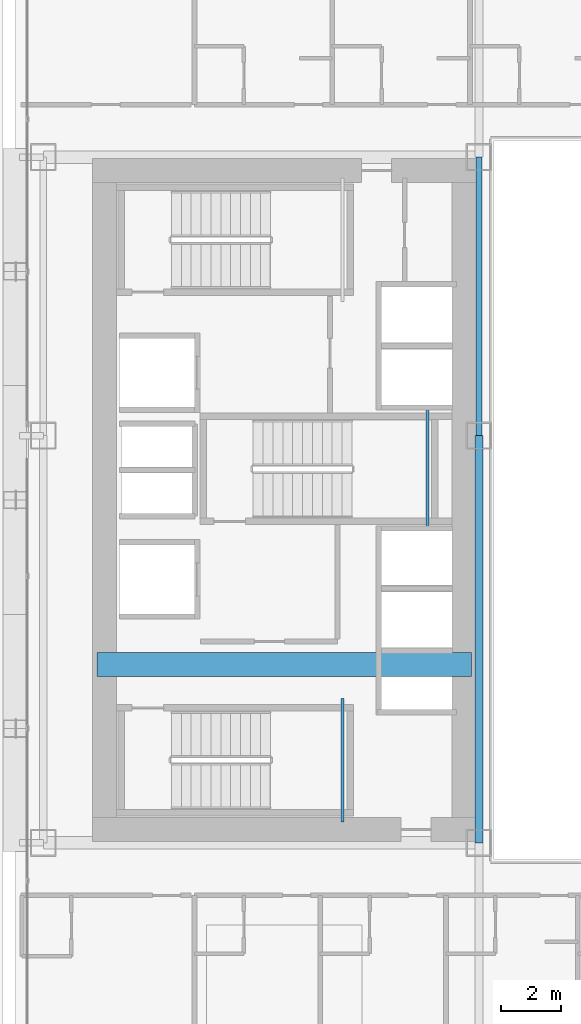
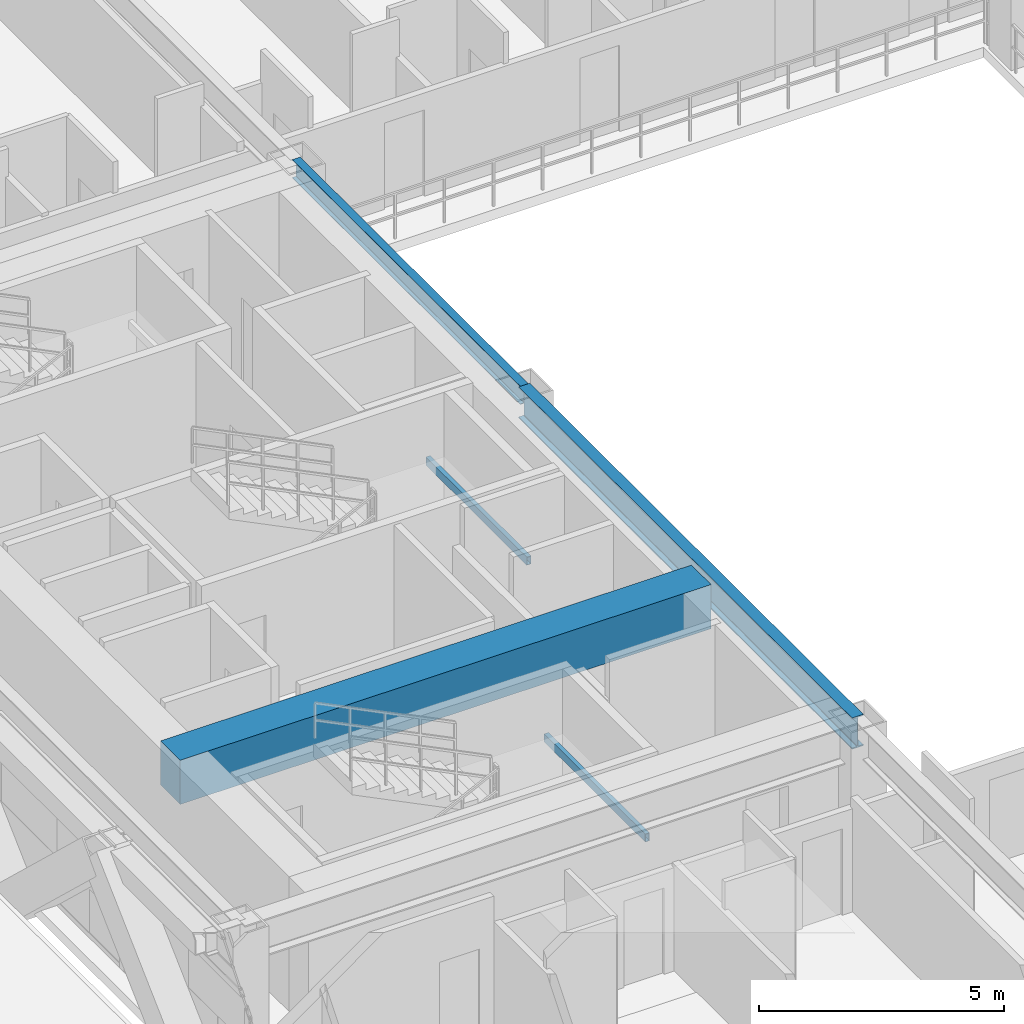
# One storey, part 8 of 35: 5 beams.
"""IFC4 building model written with IfcOpenShell, lengths in metres."""

from ifc_helpers import new_model, si_unit, direction, frame, origin, origin_2d, place, context, subcontext, project, spatial, rectangle, hollow_rectangle, i_section, extrude, source, transform, mapped, material, material_profile, profile_set, type_object, element, save


model = new_model("IFC4")

# Units and contexts
model_context = context("Model", 3, precision=1e-05, world=origin(), true_north=direction((0.0, 1.0)))
body_context = subcontext(model_context, "Body", "Model", "MODEL_VIEW")
ifc_project = project(units=[si_unit("LENGTHUNIT", "METRE"), si_unit("AREAUNIT", "SQUARE_METRE"), si_unit("VOLUMEUNIT", "CUBIC_METRE"), si_unit("PLANEANGLEUNIT", "RADIAN"), si_unit("MASSUNIT", "GRAM", prefix="KILO")], contexts=[model_context])

# Site, building, storey
site_placement = place(None, origin())
site = spatial("IfcSite", under=ifc_project, at=site_placement, CompositionType="ELEMENT")
building_placement = place(site_placement, origin())
building = spatial("IfcBuilding", under=site, at=building_placement, Name="Ocotamira Hotel", CompositionType="ELEMENT")
storey_placement = place(building_placement, frame((0.0, 0.0, 34.800048828125)))
storey = spatial("IfcBuildingStorey", under=building, at=storey_placement, Name="L07", CompositionType="ELEMENT", Elevation=34.800048828125)

# Beams
ifc_material_1 = material(Name="Concrete C60/75", Category="concrete")
ifc_material_profile_1 = material_profile(ifc_material_1, rectangle(XDim=0.800048828125, YDim=1.10009765625, at=origin_2d()), Name="RC800X1100")
ifc_profile_set_1 = profile_set([ifc_material_profile_1], Name="Concrete C60/75")
beam_type_1 = type_object("IfcBeamType", Name="BM-LINK-RC800", PredefinedType="LINTEL", material=ifc_profile_set_1)
shared_shape_1 = source(origin(), body_context, "Body", "SweptSolid", [
    extrude(rectangle(XDim=0.800048828125, YDim=1.10009765625, at=origin_2d()), origin(), (0.0, 0.0, 1.0), 12.5),
])
beam_1_placement = place(storey_placement, frame((10.75, 20.5, 2.800048828125), z_axis=(1.0, 0.0, 0.0), x_axis=(0.0, 1.0, 0.0)))
element("IfcBeam", 1, at=beam_1_placement, inside=storey, type_object=beam_type_1, Name="L07 West Core Coupling Beam", PredefinedType="LINTEL", context=body_context, shape_type="MappedRepresentation", body=[
    mapped(shared_shape_1, transform((0.0, 0.0, 0.0), scale=1.0)),
])
ifc_material_2 = material(Name="Steel ASTM A500 Grade C", Category="steel")
ifc_material_profile_2 = material_profile(ifc_material_2, hollow_rectangle(XDim=0.10009765625, YDim=0.199951171875, WallThickness=0.008056640625, at=origin_2d()), Name="HSS200X100X8")
ifc_profile_set_2 = profile_set([ifc_material_profile_2], Name="Steel ASTM A500 Grade C")
beam_type_2 = type_object("IfcBeamType", Name="BM-STLDG-HSS200", PredefinedType="BEAM", material=ifc_profile_set_2)
shared_shape_2 = source(origin(), body_context, "Body", "SweptSolid", [
    extrude(hollow_rectangle(XDim=0.10009765625, YDim=0.199951171875, WallThickness=0.008056640625, at=origin_2d()), origin(), (0.0, 0.0, 1.0), 4.1201171875),
])
for number, where, z_axis, x_axis, name in (
    (2, (18.949951171875, 15.25, 1.5), (0.0, 1.0, 0.0), (-1.0, 0.0, 0.0), "L07 Stair ST-1 Landing Bearer 1"),
    (3, (21.780029296875, 24.97998046875, 1.5), (0.0, 1.0, 0.0), (-1.0, 0.0, 0.0), "L07 Stair ST-3 Landing Bearer 1"),
):
    element("IfcBeam", number, at=place(storey_placement, frame(where, z_axis=z_axis, x_axis=x_axis)), inside=storey, type_object=beam_type_2, Name=name, PredefinedType="BEAM", context=body_context, shape_type="MappedRepresentation", body=[
        mapped(shared_shape_2, transform((0.0, 0.0, 0.0), scale=1.0)),
    ])
ifc_material_3 = material(Name="Steel ASTM A992 Grade 50", Category="steel")
ifc_material_profile_3 = material_profile(ifc_material_3, i_section(OverallWidth=0.26611328125, OverallDepth=0.779052734375, WebThickness=0.0166015625, FlangeThickness=0.030029296875, FilletRadius=0.01806640625, at=origin_2d()), Name="W30X148")
ifc_profile_set_3 = profile_set([ifc_material_profile_3], Name="Steel ASTM A992 Grade 50")
beam_type_3 = type_object("IfcBeamType", Name="BM-GIRD-W30X148", PredefinedType="BEAM", material=ifc_profile_set_3)
shared_shape_3 = source(origin(), body_context, "Body", "SweptSolid", [
    extrude(i_section(OverallWidth=0.26611328125, OverallDepth=0.779052734375, WebThickness=0.0166015625, FlangeThickness=0.030029296875, FilletRadius=0.01806640625, at=origin_2d()), origin(), (0.0, 0.0, 1.0), 13.599853515625),
])
beam_2_placement = place(storey_placement, frame((23.5, 14.550048828125, 2.96044921875), z_axis=(0.0, 1.0, 0.0), x_axis=(-1.0, 0.0, 0.0)))
element("IfcBeam", 4, at=beam_2_placement, inside=storey, type_object=beam_type_3, Name="L07 Beam X23.5 Y14.55-28.15", PredefinedType="BEAM", context=body_context, shape_type="MappedRepresentation", body=[
    mapped(shared_shape_3, transform((0.0, 0.0, 0.0), scale=1.0)),
])
ifc_material_profile_4 = material_profile(ifc_material_3, i_section(OverallWidth=0.18994140625, OverallDepth=0.45703125, WebThickness=0.009033203125, FlangeThickness=0.014404296875, FilletRadius=0.010009765625, at=origin_2d()), Name="W18X50")
ifc_profile_set_4 = profile_set([ifc_material_profile_4], Name="Steel ASTM A992 Grade 50")
beam_type_4 = type_object("IfcBeamType", Name="BM-SEC-W18X50", PredefinedType="JOIST", material=ifc_profile_set_4)
shared_shape_4 = source(origin(), body_context, "Body", "SweptSolid", [
    extrude(i_section(OverallWidth=0.18994140625, OverallDepth=0.45703125, WebThickness=0.009033203125, FlangeThickness=0.014404296875, FilletRadius=0.010009765625, at=origin_2d()), origin(), (0.0, 0.0, 1.0), 9.300048828125),
])
beam_3_placement = place(storey_placement, frame((23.5, 28.14990234375, 3.121337890625), z_axis=(0.0, 1.0, 0.0), x_axis=(-1.0, 0.0, 0.0)))
element("IfcBeam", 5, at=beam_3_placement, inside=storey, type_object=beam_type_4, Name="L07 Beam X23.5 Y28.15-37.45", PredefinedType="JOIST", context=body_context, shape_type="MappedRepresentation", body=[
    mapped(shared_shape_4, transform((0.0, 0.0, 0.0), scale=1.0)),
])

save(model, "model.ifc")
